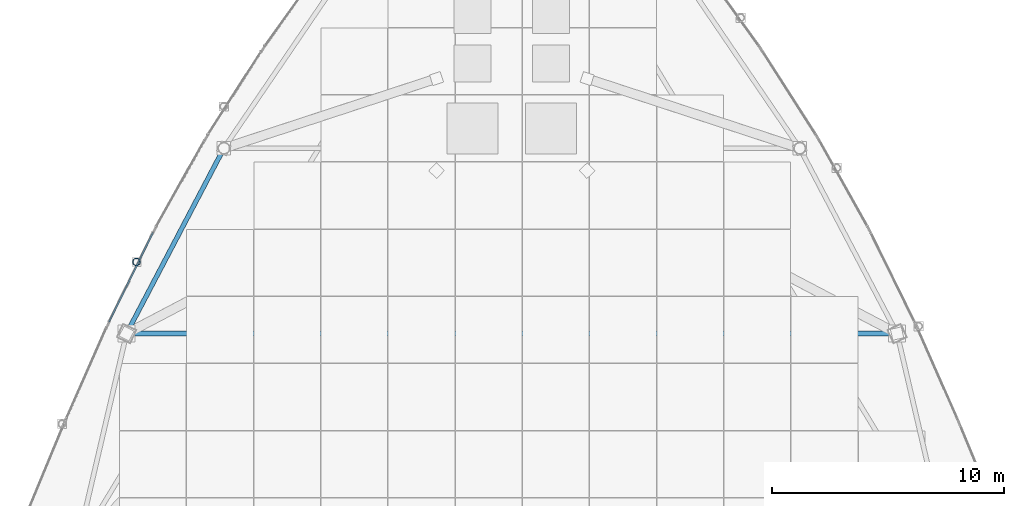
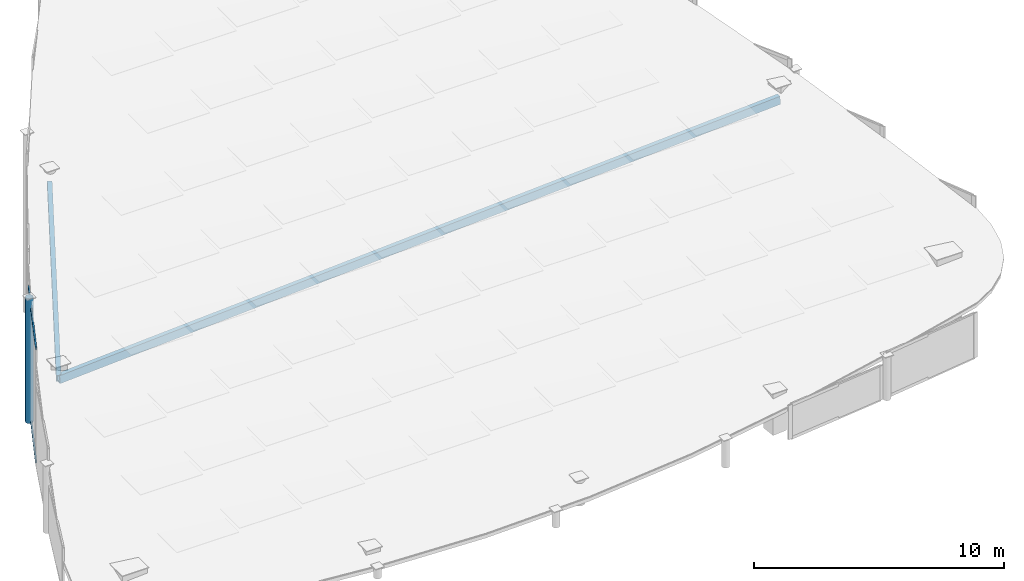
# One storey, part 5 of 21: 5 members, 1 element without a shape of its own.
"""IFC4 building model written with IfcOpenShell, lengths in metres."""

from ifc_helpers import new_model, si_unit, direction, frame, origin, origin_2d, place, context, subcontext, project, spatial, hollow_rectangle, hollow_circle, extrude, material, layer, layer_set, material_profile, profile_set, type_object, element, aggregate, save


model = new_model("IFC4")

# Units and contexts
model_context = context("Model", 3, precision=1e-05, world=origin(), true_north=direction((0.0, 1.0)))
body_context = subcontext(model_context, "Body", "Model", "MODEL_VIEW")
ifc_project = project(units=[si_unit("LENGTHUNIT", "METRE"), si_unit("AREAUNIT", "SQUARE_METRE"), si_unit("VOLUMEUNIT", "CUBIC_METRE"), si_unit("PLANEANGLEUNIT", "RADIAN"), si_unit("MASSUNIT", "GRAM", prefix="KILO")], contexts=[model_context])

# Site, building, storey
site_placement = place(None, origin())
site = spatial("IfcSite", under=ifc_project, at=site_placement, CompositionType="ELEMENT")
building_placement = place(site_placement, origin())
building = spatial("IfcBuilding", under=site, at=building_placement, Name="Orvanel Arch Residences", CompositionType="ELEMENT")
storey_placement = place(building_placement, frame((0.0, 0.0, 314.89990234375)))
storey = spatial("IfcBuildingStorey", under=building, at=storey_placement, Name="RF", CompositionType="ELEMENT", Elevation=314.89990234375)

# Members
ifc_material_1 = material(Name="Structural steel AS/NZS 1163 C350L0 (Grade 350)", Category="steel")
ifc_material_profile_1 = material_profile(ifc_material_1, hollow_rectangle(XDim=0.199951171875, YDim=0.39990234375, WallThickness=0.012451171875, at=origin_2d()), Name="RHS400x200x12.5")
ifc_profile_set_1 = profile_set([ifc_material_profile_1], Name="Structural steel AS/NZS 1163 C350L0 (Grade 350)")
member_type_1 = type_object("IfcMemberType", Name="RF-400RHS-EXT", PredefinedType="RAFTER", material=ifc_profile_set_1)
member_1_placement = place(storey_placement, frame((20.569091796875, 27.64111328125, 7.2880859375), z_axis=(-0.438812611136, -0.835304229099, -0.331225508011), x_axis=(0.885276660942, -0.465064762793, 0.0)))
element("IfcMember", 1, at=member_1_placement, inside=storey, type_object=member_type_1, Name="RF Slanted Crown Outer Rim Rafter 01", PredefinedType="RAFTER", context=body_context, shape_type="SweptSolid", body=[
    extrude(hollow_rectangle(XDim=0.199951171875, YDim=0.39990234375, WallThickness=0.012451171875, at=origin_2d()), origin(), (0.0, 0.0, 1.0), 9.576171875),
])
member_2_placement = place(storey_placement, frame((16.366943359375, 19.64208984375, 4.1162109375), z_axis=(0.998205055687, 0.0, 0.059888786935), x_axis=(0.0, 1.0, 0.0)))
element("IfcMember", 2, at=member_2_placement, inside=storey, type_object=member_type_1, Name="RF Slanted Crown Structural Soffit Rafter 03", PredefinedType="RAFTER", context=body_context, shape_type="SweptSolid", body=[
    extrude(hollow_rectangle(XDim=0.199951171875, YDim=0.39990234375, WallThickness=0.012451171875, at=origin_2d()), origin(), (0.0, 0.0, 1.0), 33.325927734375),
])
ifc_material_profile_2 = material_profile(ifc_material_1, hollow_circle(Radius=0.162109375, WallThickness=0.0126953125, at=origin_2d()), Name="CHS324x12.7")
ifc_profile_set_2 = profile_set([ifc_material_profile_2], Name="Structural steel AS/NZS 1163 C350L0 (Grade 350)")
member_type_2 = type_object("IfcMemberType", Name="ST-324CHS-EXT", PredefinedType="STRUT", material=ifc_profile_set_2)
member_3_placement = place(storey_placement, frame((16.794921875, 22.73388671875, 0.0), z_axis=(0.0, 0.0, 1.0), x_axis=(1.0, 0.0, 0.0)))
element("IfcMember", 3, at=member_3_placement, inside=storey, type_object=member_type_2, Name="RF Crown Outer Perimeter Frame Post 03", PredefinedType="STRUT", context=body_context, shape_type="SweptSolid", body=[
    extrude(hollow_circle(Radius=0.162109375, WallThickness=0.0126953125, at=origin_2d()), origin(), (0.0, 0.0, 1.0), 6.090087890625),
])

# Curtain wall, members
ifc_material_2 = material(Name="Bronze-anodised aluminium AA6063-T6", Category="aluminium")
ifc_layer = layer(ifc_material_2, 0.2099609375)
ifc_layer_set = layer_set([ifc_layer], Name="Bronze-anodised aluminium AA6063-T6")
curtain_wall_type = type_object("IfcCurtainWallType", Name="CW7-TOP-SYS", PredefinedType="NOTDEFINED", material=ifc_layer_set)
curtain_wall_placement = place(storey_placement, origin())
curtain_wall = element("IfcCurtainWall", 4, at=curtain_wall_placement, inside=storey, type_object=curtain_wall_type, Name="RF CW7-TOP-SYS Unitised Curtain Wall", PredefinedType="NOTDEFINED")
ifc_material_profile_3 = material_profile(ifc_material_2, hollow_rectangle(XDim=0.06494140625, YDim=0.14990234375, WallThickness=0.00390625, at=origin_2d()), Name="ALU150x65x4")
ifc_profile_set_3 = profile_set([ifc_material_profile_3], Name="Bronze-anodised aluminium AA6063-T6")
member_type_3 = type_object("IfcMemberType", Name="TRN-150x65", PredefinedType="USERDEFINED", material=ifc_profile_set_3)
member_4_placement = place(storey_placement, frame((17.509033203125, 24.005615234375, 0.03271484375), z_axis=(-0.441030561041, -0.897492085886, 0.0), x_axis=(0.897492085886, -0.441030561041, 0.0)))
member_4 = element("IfcMember", 5, at=member_4_placement, type_object=member_type_3, Name="CW-S7 transom 1.1", ObjectType="TRANSOM", PredefinedType="USERDEFINED", context=body_context, shape_type="SweptSolid", body=[
    extrude(hollow_rectangle(XDim=0.06494140625, YDim=0.14990234375, WallThickness=0.00390625, at=origin_2d()), origin(), (0.0, 0.0, 1.0), 4.303466796875),
])
member_5_placement = place(storey_placement, frame((17.509033203125, 24.005615234375, 5.54248046875), z_axis=(-0.441030561041, -0.897492085886, 0.0), x_axis=(0.897492085886, -0.441030561041, 0.0)))
member_5 = element("IfcMember", 6, at=member_5_placement, type_object=member_type_3, Name="CW-S7 transom 1.2", ObjectType="TRANSOM", PredefinedType="USERDEFINED", context=body_context, shape_type="SweptSolid", body=[
    extrude(hollow_rectangle(XDim=0.06494140625, YDim=0.14990234375, WallThickness=0.00390625, at=origin_2d()), origin(), (0.0, 0.0, 1.0), 4.303466796875),
])
aggregate(curtain_wall, [member_4, member_5])

save(model, "model.ifc")
